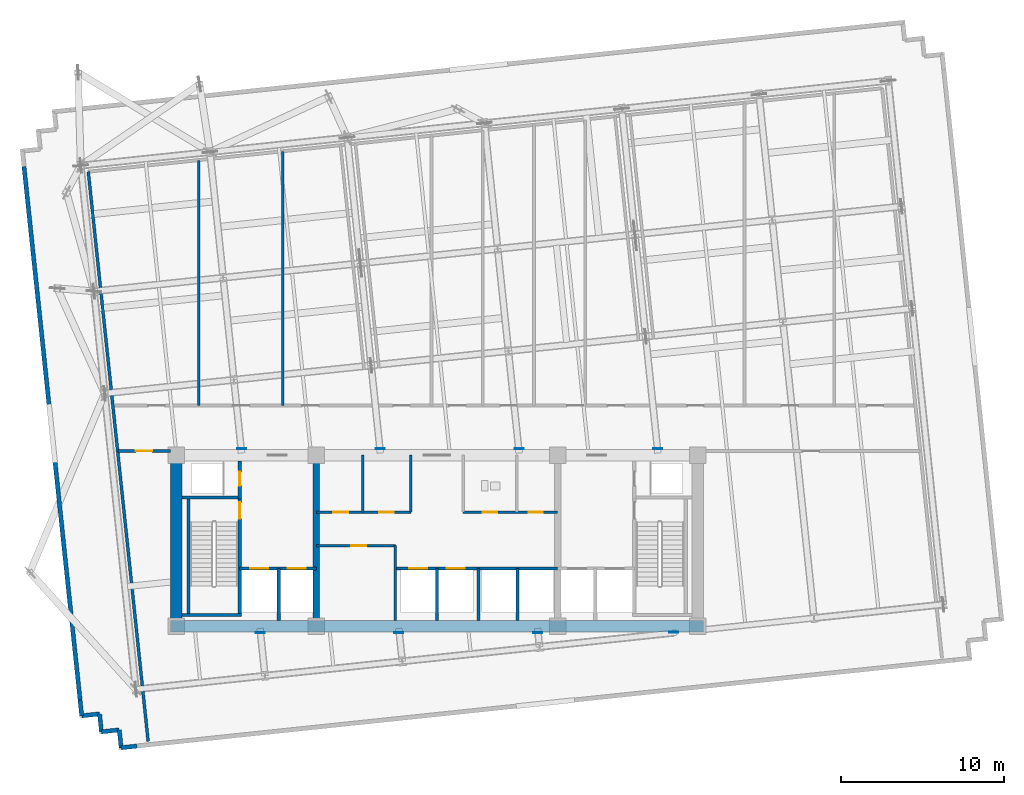
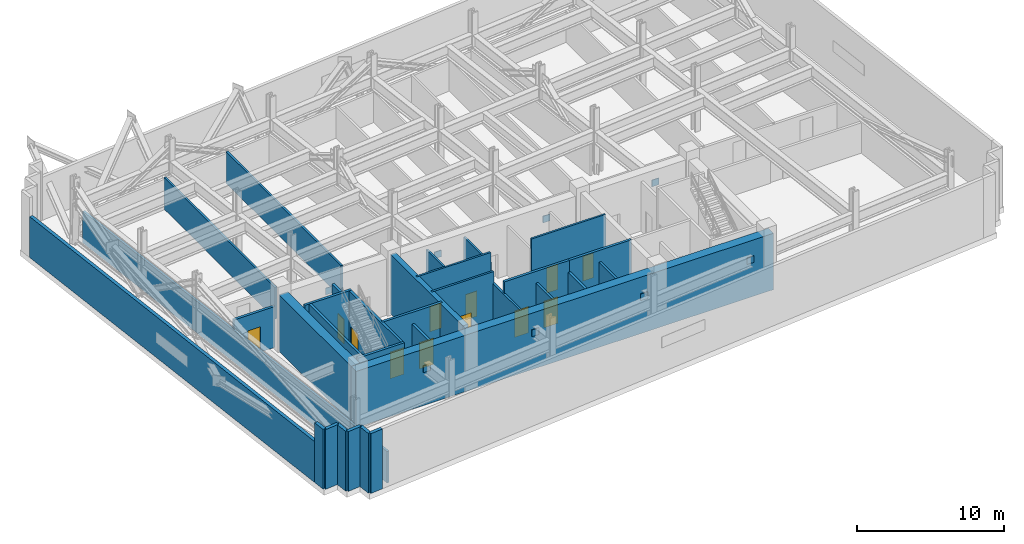
# One storey, part 6 of 11: 32 walls, 12 doors, 8 plates, 12 openings.
"""IFC4 building model written with IfcOpenShell, lengths in metres."""

from ifc_helpers import new_model, si_unit, direction, frame, frame_2d, origin, origin_2d, place, context, subcontext, project, spatial, rectangle, extrude, material, layer, layer_set, type_object, element, fill, save


model = new_model("IFC4")

# Units and contexts
model_context = context("Model", 3, precision=1e-05, world=origin(), true_north=direction((0.0, 1.0)))
body_context = subcontext(model_context, "Body", "Model", "MODEL_VIEW")
ifc_project = project(units=[si_unit("LENGTHUNIT", "METRE"), si_unit("AREAUNIT", "SQUARE_METRE"), si_unit("VOLUMEUNIT", "CUBIC_METRE"), si_unit("PLANEANGLEUNIT", "RADIAN"), si_unit("MASSUNIT", "GRAM", prefix="KILO")], contexts=[model_context])

# Site, building, storey
site_placement = place(None, origin())
site = spatial("IfcSite", under=ifc_project, at=site_placement, CompositionType="ELEMENT")
building_placement = place(site_placement, origin())
building = spatial("IfcBuilding", under=site, at=building_placement, Name="Solmavex Isthmus Hotel", CompositionType="ELEMENT")
storey_placement = place(building_placement, frame((0.0, 0.0, 130.5)))
storey = spatial("IfcBuildingStorey", under=building, at=storey_placement, Name="L35", CompositionType="ELEMENT", Elevation=130.5)

# Plates
ifc_material_1 = material(Name="Steel ASTM A572 Grade 50", Category="steel")
ifc_layer_1 = layer(ifc_material_1, 0.06005859375)
ifc_layer_set_1 = layer_set([ifc_layer_1], Name="Steel ASTM A572 Grade 50")
plate_type = type_object("IfcPlateType", Name="PLT-EMBED-60", PredefinedType="USERDEFINED", material=ifc_layer_set_1)
for number, where, z_axis, x_axis, name in (
    (1, (-10.852294921875, -13.3857421875, 2.77685546875), (0.0, 0.0, 1.0), (1.0, 0.0, 0.0), "Outrigger Strut Core Cast-In Embedment Stiffener Plate 053"),
    (2, (-11.99072265625, -2.1142578125, 2.77685546875), (0.0, 0.0, 1.0), (1.0, 0.0, 0.0), "Outrigger Strut Core Cast-In Embedment Stiffener Plate 054"),
    (3, (-2.339599609375, -13.3857421875, 2.77685546875), (0.0, 0.0, 1.0), (1.0, 0.0, 0.0), "Outrigger Strut Core Cast-In Embedment Stiffener Plate 055"),
    (4, (-3.47802734375, -2.1142578125, 2.77685546875), (0.0, 0.0, 1.0), (1.0, 0.0, 0.0), "Outrigger Strut Core Cast-In Embedment Stiffener Plate 056"),
    (5, (6.1728515625, -13.3857421875, 2.77685546875), (0.0, 0.0, 1.0), (1.0, 0.0, 0.0), "Outrigger Strut Core Cast-In Embedment Stiffener Plate 057"),
    (6, (5.034423828125, -2.1142578125, 2.77685546875), (0.0, 0.0, 1.0), (1.0, 0.0, 0.0), "Outrigger Strut Core Cast-In Embedment Stiffener Plate 058"),
    (7, (13.547119140625, -2.1142578125, 2.77685546875), (0.0, 0.0, 1.0), (1.0, 0.0, 0.0), "Outrigger Strut Core Cast-In Embedment Stiffener Plate 059"),
    (8, (14.517822265625, -13.353759765625, 2.82568359375), (0.0, 0.0, 1.0), (1.0, 0.0, 0.0), "Outrigger Strut Core Cast-In Embedment Stiffener Plate 060"),
):
    element("IfcPlate", number, at=place(storey_placement, frame(where, z_axis=z_axis, x_axis=x_axis)), inside=storey, type_object=plate_type, Name=name, ObjectType="STIFFENER_PLATE", PredefinedType="USERDEFINED", context=body_context, shape_type="SweptSolid", body=[
        extrude(rectangle(XDim=0.550048828125, YDim=0.06005859375, at=origin_2d()), origin(), (0.0, 0.0, 1.0), 0.550048828125),
    ])

# Walls
ifc_material_2 = material(Name="Precast Concrete C40/50", Category="concrete")
ifc_layer_2 = layer(ifc_material_2, 0.260009765625)
ifc_layer_set_2 = layer_set([ifc_layer_2], Name="Precast Concrete C40/50")
wall_type_1 = type_object("IfcWallType", Name="EW-CRN-260", PredefinedType="STANDARD", material=ifc_layer_set_2)
wall_1_placement = place(storey_placement, frame((-18.4111328125, -20.3466796875, 0.0), z_axis=(0.0, 0.0, 1.0), x_axis=(-0.994528875469, -0.104462030706, 0.0)))
element("IfcWall", 9, at=wall_1_placement, inside=storey, type_object=wall_type_1, Name="Plant Acoustic Louvre Enclosure Wall L35-01", PredefinedType="STANDARD", context=body_context, shape_type="SweptSolid", body=[
    extrude(rectangle(XDim=0.969970703125, YDim=0.260009765625, at=frame_2d((0.48486328125, 0.0))), origin(), (0.0, 0.0, 1.0), 4.949951171875),
])
for number, where, z_axis, x_axis, name in (
    (10, (-19.375732421875, -20.447998046875, 0.0), (0.0, 0.0, 1.0), (-0.104534592565, 0.994521251134, 0.0), "Plant Acoustic Louvre Enclosure Wall L35-02"),
    (11, (-19.49072265625, -19.35400390625, 0.0), (0.0, 0.0, 1.0), (-0.994521251134, -0.104534592565, 0.0), "Plant Acoustic Louvre Enclosure Wall L35-03"),
    (12, (-20.584716796875, -19.468994140625, 0.0), (0.0, 0.0, 1.0), (-0.104534592565, 0.994521251134, 0.0), "Plant Acoustic Louvre Enclosure Wall L35-04"),
    (13, (-20.69970703125, -18.375, 0.0), (0.0, 0.0, 1.0), (-0.994521251134, -0.104534592565, 0.0), "Plant Acoustic Louvre Enclosure Wall L35-05"),
):
    element("IfcWall", number, at=place(storey_placement, frame(where, z_axis=z_axis, x_axis=x_axis)), inside=storey, type_object=wall_type_1, Name=name, PredefinedType="STANDARD", context=body_context, shape_type="SweptSolid", body=[
        extrude(rectangle(XDim=1.10009765625, YDim=0.260009765625, at=frame_2d((0.550048828125, 0.0))), origin(), (0.0, 0.0, 1.0), 4.949951171875),
    ])
wall_2_placement = place(storey_placement, frame((-21.793701171875, -18.489990234375, 0.0), z_axis=(0.0, 0.0, 1.0), x_axis=(-0.104462030706, 0.994528875469, 0.0)))
element("IfcWall", 14, at=wall_2_placement, inside=storey, type_object=wall_type_1, Name="Plant Acoustic Louvre Enclosure Wall L35-06", PredefinedType="STANDARD", context=body_context, shape_type="SweptSolid", body=[
    extrude(rectangle(XDim=0.969970703125, YDim=0.260009765625, at=frame_2d((0.48486328125, 0.0))), origin(), (0.0, 0.0, 1.0), 4.949951171875),
])
wall_3_placement = place(storey_placement, frame((-21.89501953125, -17.525390625, 0.0), z_axis=(0.0, 0.0, 1.0), x_axis=(-0.104527952355, 0.994521949067, 0.0)))
element("IfcWall", 15, at=wall_3_placement, inside=storey, type_object=wall_type_1, Name="Plant Acoustic Louvre Enclosure Wall L35-07", PredefinedType="STANDARD", context=body_context, shape_type="SweptSolid", body=[
    extrude(rectangle(XDim=32.89990234375, YDim=0.260009765625, at=frame_2d((16.449951171875, 0.0))), origin(), (0.0, 0.0, 1.0), 3.385009765625),
])

# Wall, opening, door
ifc_material_3 = material(Name="Gypsum plasterboard lining", Category="gypsum")
ifc_layer_3 = layer(ifc_material_3, 0.159912109375)
ifc_layer_set_3 = layer_set([ifc_layer_3], Name="Gypsum plasterboard lining")
wall_type_2 = type_object("IfcWallType", Name="IW-COMP-160", PredefinedType="PARTITIONING", material=ifc_layer_set_3)
wall_4_placement = place(storey_placement, frame((-7.39990234375, -8.050048828125, 0.0), z_axis=(0.0, 0.0, 1.0), x_axis=(1.0, 0.0, 0.0)))
wall_4 = element("IfcWall", 16, at=wall_4_placement, inside=storey, type_object=wall_type_2, Name="Interior Partition Wall W-L35-REC-PLL-N", PredefinedType="PARTITIONING", context=body_context, shape_type="SweptSolid", body=[
    extrude(rectangle(XDim=4.849853515625, YDim=0.159912109375, at=frame_2d((2.4248046875, 0.0))), origin(), (0.0, 0.0, 1.0), 4.949951171875),
])
opening_1_placement = place(wall_4_placement, frame((2.125, 0.0, 0.0)))
opening_1 = element("IfcOpeningElement", 17, at=opening_1_placement, cuts=wall_4, Name="Opening ID-C095", PredefinedType="OPENING", context=body_context, shape_type="SweptSolid", body=[
    extrude(rectangle(XDim=0.949951171875, YDim=2.14990234375, at=frame_2d((0.47509765625, 1.074951171875))), frame((0.0, 0.08984375, 0.0), z_axis=(0.0, -1.0, 0.0), x_axis=(1.0, 0.0, 0.0)), (0.0, 0.0, 1.0), 0.179931640625),
])
ifc_material_4 = material(Name="Hardwood timber", Category="wood")
door_type_1 = type_object("IfcDoorType", Name="IDR-FD60-0950", OperationType="NOTDEFINED", PredefinedType="DOOR", material=ifc_material_4)
door_1_placement = place(opening_1_placement, origin())
door_1 = element("IfcDoor", 18, at=door_1_placement, inside=storey, type_object=door_type_1, Name="Linen Reserve Door L35", OperationType="SINGLE_SWING_LEFT", OverallHeight=2.14990234375, OverallWidth=0.949951171875, PredefinedType="DOOR", context=body_context, shape_type="SweptSolid", body=[
    extrude(rectangle(XDim=0.949951171875, YDim=2.14990234375, at=frame_2d((0.47509765625, 1.074951171875))), frame((0.0, 0.02490234375, 0.0), z_axis=(0.0, -1.0, 0.0), x_axis=(1.0, 0.0, 0.0)), (0.0, 0.0, 1.0), 0.050048828125),
])
fill(opening_1, door_1)

# Walls
wall_5_placement = place(storey_placement, frame((-2.550048828125, -12.64990234375, 0.0), z_axis=(0.0, 0.0, 1.0), x_axis=(0.0, 1.0, 0.0)))
element("IfcWall", 19, at=wall_5_placement, inside=storey, type_object=wall_type_2, Name="Interior Partition Wall W-L35-REC-PLL-E", PredefinedType="PARTITIONING", context=body_context, shape_type="SweptSolid", body=[
    extrude(rectangle(XDim=4.599853515625, YDim=0.159912109375, at=frame_2d((2.2998046875, 0.0))), origin(), (0.0, 0.0, 1.0), 3.985107421875),
])
wall_6_placement = place(storey_placement, frame((-14.6201171875, 0.550048828125, 0.0), z_axis=(0.0, 0.0, 1.0), x_axis=(0.0, 1.0, 0.0)))
element("IfcWall", 20, at=wall_6_placement, inside=storey, type_object=wall_type_2, Name="Interior Partition Wall W-L35-PX1", PredefinedType="PARTITIONING", context=body_context, shape_type="SweptSolid", body=[
    extrude(rectangle(XDim=15.0263671875, YDim=0.159912109375, at=frame_2d((7.51318359375, 0.0))), origin(), (0.0, 0.0, 1.0), 2.615966796875),
])
wall_7_placement = place(storey_placement, frame((-9.449951171875, 0.550048828125, 0.0), z_axis=(0.0, 0.0, 1.0), x_axis=(0.0, 1.0, 0.0)))
element("IfcWall", 21, at=wall_7_placement, inside=storey, type_object=wall_type_2, Name="Interior Partition Wall W-L35-PX2", PredefinedType="PARTITIONING", context=body_context, shape_type="SweptSolid", body=[
    extrude(rectangle(XDim=15.56982421875, YDim=0.159912109375, at=frame_2d((7.784912109375, 0.0))), origin(), (0.0, 0.0, 1.0), 2.615966796875),
])

# Wall, openings, doors
ifc_layer_4 = layer(ifc_material_3, 0.14990234375)
ifc_layer_set_4 = layer_set([ifc_layer_4], Name="Gypsum plasterboard lining")
wall_type_3 = type_object("IfcWallType", Name="IW-CORR-150", PredefinedType="PARTITIONING", material=ifc_layer_set_4)
wall_8_placement = place(storey_placement, frame((-7.39990234375, -6.0, 0.0), z_axis=(0.0, 0.0, 1.0), x_axis=(1.0, 0.0, 0.0)))
wall_8 = element("IfcWall", 22, at=wall_8_placement, inside=storey, type_object=wall_type_3, Name="Interior Partition Wall W-L35-BOH-WS", PredefinedType="PARTITIONING", context=body_context, shape_type="SweptSolid", body=[
    extrude(rectangle(XDim=5.7998046875, YDim=0.14990234375, at=frame_2d((2.89990234375, 0.0))), origin(), (0.0, 0.0, 1.0), 4.949951171875),
])
opening_2_placement = place(wall_8_placement, frame((1.050048828125, 0.0, 0.0)))
opening_2 = element("IfcOpeningElement", 23, at=opening_2_placement, cuts=wall_8, Name="Opening ID-C090", PredefinedType="OPENING", context=body_context, shape_type="SweptSolid", body=[
    extrude(rectangle(XDim=0.89990234375, YDim=2.10009765625, at=frame_2d((0.449951171875, 1.050048828125))), frame((0.0, 0.0849609375, 0.0), z_axis=(0.0, -1.0, 0.0), x_axis=(1.0, 0.0, 0.0)), (0.0, 0.0, 1.0), 0.169921875),
])
opening_3_placement = place(wall_8_placement, frame((3.85009765625, 0.0, 0.0)))
opening_3 = element("IfcOpeningElement", 24, at=opening_3_placement, cuts=wall_8, Name="Opening ID-C090", PredefinedType="OPENING", context=body_context, shape_type="SweptSolid", body=[
    extrude(rectangle(XDim=0.89990234375, YDim=2.10009765625, at=frame_2d((0.449951171875, 1.050048828125))), frame((0.0, 0.0849609375, 0.0), z_axis=(0.0, -1.0, 0.0), x_axis=(1.0, 0.0, 0.0)), (0.0, 0.0, 1.0), 0.169921875),
])
door_type_2 = type_object("IfcDoorType", Name="IDR-FD60-0900", OperationType="NOTDEFINED", PredefinedType="DOOR", material=ifc_material_4)
door_2_placement = place(opening_2_placement, frame((0.89990234375, 0.0, 0.0), z_axis=(0.0, 0.0, 1.0), x_axis=(-1.0, 0.0, 0.0)))
door_2 = element("IfcDoor", 25, at=door_2_placement, inside=storey, type_object=door_type_2, Name="Linen Room Door L35", OperationType="SINGLE_SWING_LEFT", OverallHeight=2.10009765625, OverallWidth=0.89990234375, PredefinedType="DOOR", context=body_context, shape_type="SweptSolid", body=[
    extrude(rectangle(XDim=0.89990234375, YDim=2.10009765625, at=frame_2d((0.449951171875, 1.050048828125))), frame((0.0, 0.02490234375, 0.0), z_axis=(0.0, -1.0, 0.0), x_axis=(1.0, 0.0, 0.0)), (0.0, 0.0, 1.0), 0.050048828125),
])
fill(opening_2, door_2)
door_3_placement = place(opening_3_placement, frame((0.89990234375, 0.0, 0.0), z_axis=(0.0, 0.0, 1.0), x_axis=(-1.0, 0.0, 0.0)))
door_3 = element("IfcDoor", 26, at=door_3_placement, inside=storey, type_object=door_type_2, Name="Ice Pantry Door L35", OperationType="SINGLE_SWING_RIGHT", OverallHeight=2.10009765625, OverallWidth=0.89990234375, PredefinedType="DOOR", context=body_context, shape_type="SweptSolid", body=[
    extrude(rectangle(XDim=0.89990234375, YDim=2.10009765625, at=frame_2d((0.449951171875, 1.050048828125))), frame((0.0, 0.02490234375, 0.0), z_axis=(0.0, -1.0, 0.0), x_axis=(1.0, 0.0, 0.0)), (0.0, 0.0, 1.0), 0.050048828125),
])
fill(opening_3, door_3)

# Wall
wall_9_placement = place(storey_placement, frame((-1.60009765625, -6.0, 0.0), z_axis=(0.0, 0.0, 1.0), x_axis=(0.0, 1.0, 0.0)))
element("IfcWall", 27, at=wall_9_placement, inside=storey, type_object=wall_type_3, Name="Interior Partition Wall W-L35-BOH-WE", PredefinedType="PARTITIONING", context=body_context, shape_type="SweptSolid", body=[
    extrude(rectangle(XDim=3.5, YDim=0.14990234375, at=frame_2d((1.75, 0.0))), origin(), (0.0, 0.0, 1.0), 4.094970703125),
])

# Wall, openings, doors
wall_10_placement = place(storey_placement, frame((1.60009765625, -6.0, 0.0), z_axis=(0.0, 0.0, 1.0), x_axis=(1.0, 0.0, 0.0)))
wall_10 = element("IfcWall", 28, at=wall_10_placement, inside=storey, type_object=wall_type_3, Name="Interior Partition Wall W-L35-BOH-ES", PredefinedType="PARTITIONING", context=body_context, shape_type="SweptSolid", body=[
    extrude(rectangle(XDim=5.7998046875, YDim=0.14990234375, at=frame_2d((2.89990234375, 0.0))), origin(), (0.0, 0.0, 1.0), 4.949951171875),
])
opening_4_placement = place(wall_10_placement, frame((1.199951171875, 0.0, 0.0)))
opening_4 = element("IfcOpeningElement", 29, at=opening_4_placement, cuts=wall_10, Name="Opening ID-C090", PredefinedType="OPENING", context=body_context, shape_type="SweptSolid", body=[
    extrude(rectangle(XDim=0.89990234375, YDim=2.10009765625, at=frame_2d((0.449951171875, 1.050048828125))), frame((0.0, 0.0849609375, 0.0), z_axis=(0.0, -1.0, 0.0), x_axis=(1.0, 0.0, 0.0)), (0.0, 0.0, 1.0), 0.169921875),
])
opening_5_placement = place(wall_10_placement, frame((4.02490234375, 0.0, 0.0)))
opening_5 = element("IfcOpeningElement", 30, at=opening_5_placement, cuts=wall_10, Name="Opening ID-R085", PredefinedType="OPENING", context=body_context, shape_type="SweptSolid", body=[
    extrude(rectangle(XDim=0.85009765625, YDim=2.050048828125, at=frame_2d((0.425048828125, 1.02490234375))), frame((0.0, 0.0849609375, 0.0), z_axis=(0.0, -1.0, 0.0), x_axis=(1.0, 0.0, 0.0)), (0.0, 0.0, 1.0), 0.169921875),
])
ifc_material_5 = material(Name="Steel ASTM A500 Grade C", Category="steel")
door_type_3 = type_object("IfcDoorType", Name="IDR-FD60-0850", OperationType="NOTDEFINED", PredefinedType="DOOR", material=ifc_material_5)
door_4_placement = place(opening_5_placement, frame((0.85009765625, 0.0, 0.0), z_axis=(0.0, 0.0, 1.0), x_axis=(-1.0, 0.0, 0.0)))
door_4 = element("IfcDoor", 31, at=door_4_placement, inside=storey, type_object=door_type_3, Name="IT Room Door L35", OperationType="SINGLE_SWING_RIGHT", OverallHeight=2.050048828125, OverallWidth=0.85009765625, PredefinedType="DOOR", context=body_context, shape_type="SweptSolid", body=[
    extrude(rectangle(XDim=0.85009765625, YDim=2.050048828125, at=frame_2d((0.425048828125, 1.02490234375))), frame((0.0, 0.02490234375, 0.0), z_axis=(0.0, -1.0, 0.0), x_axis=(1.0, 0.0, 0.0)), (0.0, 0.0, 1.0), 0.050048828125),
])
fill(opening_5, door_4)
door_5_placement = place(opening_4_placement, frame((0.89990234375, 0.0, 0.0), z_axis=(0.0, 0.0, 1.0), x_axis=(-1.0, 0.0, 0.0)))
door_5 = element("IfcDoor", 32, at=door_5_placement, inside=storey, type_object=door_type_2, Name="Staff Restroom Door L35", OperationType="SINGLE_SWING_LEFT", OverallHeight=2.10009765625, OverallWidth=0.89990234375, PredefinedType="DOOR", context=body_context, shape_type="SweptSolid", body=[
    extrude(rectangle(XDim=0.89990234375, YDim=2.10009765625, at=frame_2d((0.449951171875, 1.050048828125))), frame((0.0, 0.02490234375, 0.0), z_axis=(0.0, -1.0, 0.0), x_axis=(1.0, 0.0, 0.0)), (0.0, 0.0, 1.0), 0.050048828125),
])
fill(opening_4, door_5)

# Walls
ifc_layer_5 = layer(ifc_material_3, 0.1201171875)
ifc_layer_set_5 = layer_set([ifc_layer_5], Name="Gypsum plasterboard lining")
wall_type_4 = type_object("IfcWallType", Name="IW-PART-120", PredefinedType="PARTITIONING", material=ifc_layer_set_5)
wall_11_placement = place(storey_placement, frame((-4.550048828125, -6.0, 0.0), z_axis=(0.0, 0.0, 1.0), x_axis=(0.0, 1.0, 0.0)))
element("IfcWall", 33, at=wall_11_placement, inside=storey, type_object=wall_type_4, Name="Interior Partition Wall W-L35-BOH-WM2", PredefinedType="PARTITIONING", context=body_context, shape_type="SweptSolid", body=[
    extrude(rectangle(XDim=3.5, YDim=0.14990234375, at=frame_2d((1.75, 0.0))), origin(), (0.0, 0.0, 1.0), 4.094970703125),
])
ifc_material_6 = material(Name="Concrete C40/50", Category="concrete")
ifc_layer_6 = layer(ifc_material_6, 0.179931640625)
ifc_layer_set_6 = layer_set([ifc_layer_6], Name="Concrete C40/50")
wall_type_5 = type_object("IfcWallType", Name="IW-SHAFT-180", PredefinedType="PARTITIONING", material=ifc_layer_set_6)
for number, where, z_axis, x_axis, name in (
    (34, (0.0, -12.64990234375, 0.0), (0.0, 0.0, 1.0), (0.0, 1.0, 0.0), "Interior Partition Wall W-L35-SH-PLM-M"),
    (35, (4.949951171875, -12.64990234375, 0.0), (0.0, 0.0, 1.0), (0.0, 1.0, 0.0), "Interior Partition Wall W-L35-SH-PLH-M"),
):
    element("IfcWall", number, at=place(storey_placement, frame(where, z_axis=z_axis, x_axis=x_axis)), inside=storey, type_object=wall_type_5, Name=name, PredefinedType="PARTITIONING", context=body_context, shape_type="SweptSolid", body=[
        extrude(rectangle(XDim=3.199951171875, YDim=0.179931640625, at=frame_2d((1.60009765625, 0.0))), origin(), (0.0, 0.0, 1.0), 3.985107421875),
    ])
wall_12_placement = place(storey_placement, frame((-17.718017578125, -20.052490234375, 0.0), z_axis=(0.0, 0.0, 1.0), x_axis=(-0.104529587233, 0.994521777234, 0.0)))
element("IfcWall", 36, at=wall_12_placement, inside=storey, type_object=wall_type_5, Name="Interior Partition Wall W-L35-BTW", PredefinedType="PARTITIONING", context=body_context, shape_type="SweptSolid", body=[
    extrude(rectangle(XDim=35.1298828125, YDim=0.179931640625, at=frame_2d((17.56494140625, 0.0))), origin(), (0.0, 0.0, 1.0), 2.615966796875),
])

# Wall, opening, door
ifc_layer_7 = layer(ifc_material_6, 0.199951171875)
ifc_layer_set_7 = layer_set([ifc_layer_7], Name="Concrete C40/50")
wall_type_6 = type_object("IfcWallType", Name="IW-SHAFT-200", PredefinedType="PARTITIONING", material=ifc_layer_set_7)
wall_13_placement = place(storey_placement, frame((-12.10009765625, -5.199951171875, 0.0), z_axis=(0.0, 0.0, 1.0), x_axis=(0.0, 1.0, 0.0)))
wall_13 = element("IfcWall", 37, at=wall_13_placement, inside=storey, type_object=wall_type_6, Name="Interior Partition Wall W-L35-RSW-E", PredefinedType="PARTITIONING", context=body_context, shape_type="SweptSolid", body=[
    extrude(rectangle(XDim=2.349853515625, YDim=0.199951171875, at=frame_2d((1.1748046875, 0.0))), origin(), (0.0, 0.0, 1.0), 4.094970703125),
])
opening_6_placement = place(wall_13_placement, frame((0.824951171875, 0.0, 0.0)))
opening_6 = element("IfcOpeningElement", 38, at=opening_6_placement, cuts=wall_13, Name="Opening ID-R085", PredefinedType="OPENING", context=body_context, shape_type="SweptSolid", body=[
    extrude(rectangle(XDim=0.85009765625, YDim=2.050048828125, at=frame_2d((0.425048828125, 1.02490234375))), frame((0.0, 0.10986328125, 0.0), z_axis=(0.0, -1.0, 0.0), x_axis=(1.0, 0.0, 0.0)), (0.0, 0.0, 1.0), 0.219970703125),
])
door_6_placement = place(opening_6_placement, origin())
door_6 = element("IfcDoor", 39, at=door_6_placement, inside=storey, type_object=door_type_3, Name="Electrical Riser Door L35", OperationType="SINGLE_SWING_RIGHT", OverallHeight=2.050048828125, OverallWidth=0.85009765625, PredefinedType="DOOR", context=body_context, shape_type="SweptSolid", body=[
    extrude(rectangle(XDim=0.85009765625, YDim=2.050048828125, at=frame_2d((0.425048828125, 1.02490234375))), frame((0.0, 0.02490234375, 0.0), z_axis=(0.0, -1.0, 0.0), x_axis=(1.0, 0.0, 0.0)), (0.0, 0.0, 1.0), 0.050048828125),
])
fill(opening_6, door_6)

# Wall, openings, doors
wall_14_placement = place(storey_placement, frame((-12.10009765625, -9.449951171875, 0.0), z_axis=(0.0, 0.0, 1.0), x_axis=(1.0, 0.0, 0.0)))
wall_14 = element("IfcWall", 40, at=wall_14_placement, inside=storey, type_object=wall_type_6, Name="Interior Partition Wall W-L35-FFLW-S", PredefinedType="PARTITIONING", context=body_context, shape_type="SweptSolid", body=[
    extrude(rectangle(XDim=4.7001953125, YDim=0.199951171875, at=frame_2d((2.35009765625, 0.0))), origin(), (0.0, 0.0, 1.0), 4.949951171875),
])
opening_7_placement = place(wall_14_placement, frame((0.64990234375, 0.0, 0.0)))
opening_7 = element("IfcOpeningElement", 41, at=opening_7_placement, cuts=wall_14, Name="Opening LD-FF", PredefinedType="OPENING", context=body_context, shape_type="SweptSolid", body=[
    extrude(rectangle(XDim=1.10009765625, YDim=2.199951171875, at=frame_2d((0.550048828125, 1.10009765625))), frame((0.0, 0.10986328125, 0.0), z_axis=(0.0, -1.0, 0.0), x_axis=(1.0, 0.0, 0.0)), (0.0, 0.0, 1.0), 0.219970703125),
])
opening_8_placement = place(wall_14_placement, frame((2.949951171875, 0.0, 0.0)))
opening_8 = element("IfcOpeningElement", 42, at=opening_8_placement, cuts=wall_14, Name="Opening LD-SV", PredefinedType="OPENING", context=body_context, shape_type="SweptSolid", body=[
    extrude(rectangle(XDim=1.10009765625, YDim=2.199951171875, at=frame_2d((0.550048828125, 1.10009765625))), frame((0.0, 0.10986328125, 0.0), z_axis=(0.0, -1.0, 0.0), x_axis=(1.0, 0.0, 0.0)), (0.0, 0.0, 1.0), 0.219970703125),
])
ifc_material_7 = material(Name="Stainless steel 316", Category="steel")
door_type_4 = type_object("IfcDoorType", Name="LDR-FF-1100", OperationType="NOTDEFINED", PredefinedType="DOOR", material=ifc_material_7)
door_7_placement = place(opening_7_placement, origin())
door_7 = element("IfcDoor", 43, at=door_7_placement, inside=storey, type_object=door_type_4, Name="Lift Landing Door FFL-1 L35", OperationType="SLIDING_TO_LEFT", OverallHeight=2.199951171875, OverallWidth=1.10009765625, PredefinedType="DOOR", context=body_context, shape_type="SweptSolid", body=[
    extrude(rectangle(XDim=1.10009765625, YDim=2.199951171875, at=frame_2d((0.550048828125, 1.10009765625))), frame((0.0, 0.02490234375, 0.0), z_axis=(0.0, -1.0, 0.0), x_axis=(1.0, 0.0, 0.0)), (0.0, 0.0, 1.0), 0.050048828125),
])
fill(opening_7, door_7)
door_type_5 = type_object("IfcDoorType", Name="LDR-SV-1100", OperationType="NOTDEFINED", PredefinedType="DOOR", material=ifc_material_7)
door_8_placement = place(opening_8_placement, origin())
door_8 = element("IfcDoor", 44, at=door_8_placement, inside=storey, type_object=door_type_5, Name="Lift Landing Door SVL-1 L35", OperationType="SLIDING_TO_RIGHT", OverallHeight=2.199951171875, OverallWidth=1.10009765625, PredefinedType="DOOR", context=body_context, shape_type="SweptSolid", body=[
    extrude(rectangle(XDim=1.10009765625, YDim=2.199951171875, at=frame_2d((0.550048828125, 1.10009765625))), frame((0.0, 0.02490234375, 0.0), z_axis=(0.0, -1.0, 0.0), x_axis=(1.0, 0.0, 0.0)), (0.0, 0.0, 1.0), 0.050048828125),
])
fill(opening_8, door_8)

# Wall
wall_15_placement = place(storey_placement, frame((-9.699951171875, -12.64990234375, 0.0), z_axis=(0.0, 0.0, 1.0), x_axis=(0.0, 1.0, 0.0)))
element("IfcWall", 45, at=wall_15_placement, inside=storey, type_object=wall_type_6, Name="Interior Partition Wall W-L35-FFLW-M", PredefinedType="PARTITIONING", context=body_context, shape_type="SweptSolid", body=[
    extrude(rectangle(XDim=3.199951171875, YDim=0.199951171875, at=frame_2d((1.60009765625, 0.0))), origin(), (0.0, 0.0, 1.0), 3.985107421875),
])

# Wall, openings, doors
wall_16_placement = place(storey_placement, frame((-2.550048828125, -9.449951171875, 0.0), z_axis=(0.0, 0.0, 1.0), x_axis=(1.0, 0.0, 0.0)))
wall_16 = element("IfcWall", 46, at=wall_16_placement, inside=storey, type_object=wall_type_6, Name="Interior Partition Wall W-L35-SH-PLM", PredefinedType="PARTITIONING", context=body_context, shape_type="SweptSolid", body=[
    extrude(rectangle(XDim=5.10009765625, YDim=0.199951171875, at=frame_2d((2.550048828125, 0.0))), origin(), (0.0, 0.0, 1.0), 4.949951171875),
])
opening_9_placement = place(wall_16_placement, frame((0.85009765625, 0.0, 0.0)))
opening_9 = element("IfcOpeningElement", 47, at=opening_9_placement, cuts=wall_16, Name="Opening LD-PL", PredefinedType="OPENING", context=body_context, shape_type="SweptSolid", body=[
    extrude(rectangle(XDim=1.10009765625, YDim=2.199951171875, at=frame_2d((0.550048828125, 1.10009765625))), frame((0.0, 0.10986328125, 0.0), z_axis=(0.0, -1.0, 0.0), x_axis=(1.0, 0.0, 0.0)), (0.0, 0.0, 1.0), 0.219970703125),
])
opening_10_placement = place(wall_16_placement, frame((3.14990234375, 0.0, 0.0)))
opening_10 = element("IfcOpeningElement", 48, at=opening_10_placement, cuts=wall_16, Name="Opening LD-PL", PredefinedType="OPENING", context=body_context, shape_type="SweptSolid", body=[
    extrude(rectangle(XDim=1.10009765625, YDim=2.199951171875, at=frame_2d((0.550048828125, 1.10009765625))), frame((0.0, 0.10986328125, 0.0), z_axis=(0.0, -1.0, 0.0), x_axis=(1.0, 0.0, 0.0)), (0.0, 0.0, 1.0), 0.219970703125),
])
door_type_6 = type_object("IfcDoorType", Name="LDR-PL-1100", OperationType="NOTDEFINED", PredefinedType="DOOR", material=ifc_material_7)
door_9_placement = place(opening_9_placement, origin())
door_9 = element("IfcDoor", 49, at=door_9_placement, inside=storey, type_object=door_type_6, Name="Lift Landing Door PLM1 L35", OperationType="SLIDING_TO_RIGHT", OverallHeight=2.199951171875, OverallWidth=1.10009765625, PredefinedType="DOOR", context=body_context, shape_type="SweptSolid", body=[
    extrude(rectangle(XDim=1.10009765625, YDim=2.199951171875, at=frame_2d((0.550048828125, 1.10009765625))), frame((0.0, 0.02490234375, 0.0), z_axis=(0.0, -1.0, 0.0), x_axis=(1.0, 0.0, 0.0)), (0.0, 0.0, 1.0), 0.050048828125),
])
fill(opening_9, door_9)
door_10_placement = place(opening_10_placement, origin())
door_10 = element("IfcDoor", 50, at=door_10_placement, inside=storey, type_object=door_type_6, Name="Lift Landing Door PLM2 L35", OperationType="SLIDING_TO_RIGHT", OverallHeight=2.199951171875, OverallWidth=1.10009765625, PredefinedType="DOOR", context=body_context, shape_type="SweptSolid", body=[
    extrude(rectangle(XDim=1.10009765625, YDim=2.199951171875, at=frame_2d((0.550048828125, 1.10009765625))), frame((0.0, 0.02490234375, 0.0), z_axis=(0.0, -1.0, 0.0), x_axis=(1.0, 0.0, 0.0)), (0.0, 0.0, 1.0), 0.050048828125),
])
fill(opening_10, door_10)

# Walls
wall_17_placement = place(storey_placement, frame((2.550048828125, -12.64990234375, 0.0), z_axis=(0.0, 0.0, 1.0), x_axis=(0.0, 1.0, 0.0)))
element("IfcWall", 51, at=wall_17_placement, inside=storey, type_object=wall_type_6, Name="Interior Partition Wall W-L35-SH-PLM-E", PredefinedType="PARTITIONING", context=body_context, shape_type="SweptSolid", body=[
    extrude(rectangle(XDim=3.199951171875, YDim=0.199951171875, at=frame_2d((1.60009765625, 0.0))), origin(), (0.0, 0.0, 1.0), 3.985107421875),
])
wall_18_placement = place(storey_placement, frame((2.550048828125, -9.449951171875, 0.0), z_axis=(0.0, 0.0, 1.0), x_axis=(1.0, 0.0, 0.0)))
element("IfcWall", 52, at=wall_18_placement, inside=storey, type_object=wall_type_6, Name="Interior Partition Wall W-L35-SH-PLH", PredefinedType="PARTITIONING", context=body_context, shape_type="SweptSolid", body=[
    extrude(rectangle(XDim=4.849853515625, YDim=0.199951171875, at=frame_2d((2.4248046875, 0.0))), origin(), (0.0, 0.0, 1.0), 4.949951171875),
])

# Wall, opening, door
wall_19_placement = place(storey_placement, frame((-19.569091796875, -2.25, 0.0), z_axis=(0.0, 0.0, 1.0), x_axis=(1.0, 0.0, 0.0)))
wall_19 = element("IfcWall", 53, at=wall_19_placement, inside=storey, type_object=wall_type_6, Name="Interior Partition Wall W-L35-PSW", PredefinedType="PARTITIONING", context=body_context, shape_type="SweptSolid", body=[
    extrude(rectangle(XDim=3.218994140625, YDim=0.199951171875, at=frame_2d((1.609375, 0.0))), origin(), (0.0, 0.0, 1.0), 3.385009765625),
])
opening_11_placement = place(wall_19_placement, frame((1.093994140625, 0.0, 0.0)))
opening_11 = element("IfcOpeningElement", 54, at=opening_11_placement, cuts=wall_19, Name="Opening ID-F100", PredefinedType="OPENING", context=body_context, shape_type="SweptSolid", body=[
    extrude(rectangle(XDim=1.0, YDim=2.10009765625, at=frame_2d((0.5, 1.050048828125))), frame((0.0, 0.10986328125, 0.0), z_axis=(0.0, -1.0, 0.0), x_axis=(1.0, 0.0, 0.0)), (0.0, 0.0, 1.0), 0.219970703125),
])
door_type_7 = type_object("IfcDoorType", Name="IDR-FD90-1000", OperationType="NOTDEFINED", PredefinedType="DOOR", material=ifc_material_5)
door_11_placement = place(opening_11_placement, frame((1.0, 0.0, 0.0), z_axis=(0.0, 0.0, 1.0), x_axis=(-1.0, 0.0, 0.0)))
door_11 = element("IfcDoor", 55, at=door_11_placement, inside=storey, type_object=door_type_7, Name="Domestic Water Booster Plant Room Door L35", OperationType="SINGLE_SWING_LEFT", OverallHeight=2.10009765625, OverallWidth=1.0, PredefinedType="DOOR", context=body_context, shape_type="SweptSolid", body=[
    extrude(rectangle(XDim=1.0, YDim=2.10009765625, at=frame_2d((0.5, 1.050048828125))), frame((0.0, 0.02490234375, 0.0), z_axis=(0.0, -1.0, 0.0), x_axis=(1.0, 0.0, 0.0)), (0.0, 0.0, 1.0), 0.050048828125),
])
fill(opening_11, door_11)

# Walls
ifc_material_8 = material(Name="Concrete C60/75", Category="concrete")
ifc_layer_8 = layer(ifc_material_8, 0.39990234375)
ifc_layer_set_8 = layer_set([ifc_layer_8], Name="Concrete C60/75")
wall_type_7 = type_object("IfcWallType", Name="WALL-CW-400M", PredefinedType="SHEAR", material=ifc_layer_set_8)
wall_20_placement = place(storey_placement, frame((-7.39990234375, -12.64990234375, 0.0), z_axis=(0.0, 0.0, 1.0), x_axis=(0.0, 1.0, 0.0)))
element("IfcWall", 56, at=wall_20_placement, inside=storey, type_object=wall_type_7, Name="Core Cross Shear Wall C1 L35", PredefinedType="SHEAR", context=body_context, shape_type="SweptSolid", body=[
    extrude(rectangle(XDim=9.7998046875, YDim=0.39990234375, at=frame_2d((4.89990234375, 0.0))), origin(), (0.0, 0.0, 1.0), 4.949951171875),
])
ifc_layer_9 = layer(ifc_material_8, 0.699951171875)
ifc_layer_set_9 = layer_set([ifc_layer_9], Name="Concrete C60/75")
wall_type_8 = type_object("IfcWallType", Name="WALL-CW-700", PredefinedType="SHEAR", material=ifc_layer_set_9)
wall_21_placement = place(storey_placement, frame((-16.35009765625, -13.0, 0.0), z_axis=(0.0, 0.0, 1.0), x_axis=(1.0, 0.0, 0.0)))
element("IfcWall", 57, at=wall_21_placement, inside=storey, type_object=wall_type_8, Name="Core Shear Wall South L35", PredefinedType="SHEAR", context=body_context, shape_type="SweptSolid", body=[
    extrude(rectangle(XDim=32.7001953125, YDim=0.699951171875, at=frame_2d((16.35009765625, 0.0))), origin(), (0.0, 0.0, 1.0), 4.669921875),
])
wall_22_placement = place(storey_placement, frame((-16.0, -12.64990234375, 0.0), z_axis=(0.0, 0.0, 1.0), x_axis=(0.0, 1.0, 0.0)))
element("IfcWall", 58, at=wall_22_placement, inside=storey, type_object=wall_type_8, Name="Core Shear Wall West L35", PredefinedType="SHEAR", context=body_context, shape_type="SweptSolid", body=[
    extrude(rectangle(XDim=9.7998046875, YDim=0.699951171875, at=frame_2d((4.89990234375, 0.0))), origin(), (0.0, 0.0, 1.0), 4.669921875),
])
ifc_layer_10 = layer(ifc_material_6, 0.199951171875)
ifc_layer_set_10 = layer_set([ifc_layer_10], Name="Concrete C40/50")
wall_type_9 = type_object("IfcWallType", Name="WALL-SW-200", PredefinedType="SOLIDWALL", material=ifc_layer_set_10)
for number, where, z_axis, x_axis, name in (
    (59, (-15.64990234375, -12.300048828125, 0.0), (0.0, 0.0, 1.0), (1.0, 0.0, 0.0), "Stairwell Structural Wall SW-L35-ST1-S"),
    (60, (-15.64990234375, -5.10009765625, 0.0), (0.0, 0.0, 1.0), (1.0, 0.0, 0.0), "Stairwell Structural Wall SW-L35-ST1-N"),
):
    element("IfcWall", number, at=place(storey_placement, frame(where, z_axis=z_axis, x_axis=x_axis)), inside=storey, type_object=wall_type_9, Name=name, PredefinedType="SOLIDWALL", context=body_context, shape_type="SweptSolid", body=[
        extrude(rectangle(XDim=3.64990234375, YDim=0.199951171875, at=frame_2d((1.824951171875, 0.0))), origin(), (0.0, 0.0, 1.0), 4.949951171875),
    ])
wall_23_placement = place(storey_placement, frame((-15.25, -12.199951171875, 0.0), z_axis=(0.0, 0.0, 1.0), x_axis=(0.0, 1.0, 0.0)))
element("IfcWall", 61, at=wall_23_placement, inside=storey, type_object=wall_type_9, Name="Stairwell Structural Wall SW-L35-ST1-W", PredefinedType="SOLIDWALL", context=body_context, shape_type="SweptSolid", body=[
    extrude(rectangle(XDim=7.0, YDim=0.199951171875, at=frame_2d((3.5, 0.0))), origin(), (0.0, 0.0, 1.0), 4.949951171875),
])

# Wall, opening, door
wall_24_placement = place(storey_placement, frame((-12.10009765625, -12.199951171875, 0.0), z_axis=(0.0, 0.0, 1.0), x_axis=(0.0, 1.0, 0.0)))
wall_24 = element("IfcWall", 62, at=wall_24_placement, inside=storey, type_object=wall_type_9, Name="Stairwell Structural Wall SW-L35-ST1-E", PredefinedType="SOLIDWALL", context=body_context, shape_type="SweptSolid", body=[
    extrude(rectangle(XDim=7.0, YDim=0.199951171875, at=frame_2d((3.5, 0.0))), origin(), (0.0, 0.0, 1.0), 4.949951171875),
])
opening_12_placement = place(wall_24_placement, frame((5.800048828125, 0.0, 0.0)))
opening_12 = element("IfcOpeningElement", 63, at=opening_12_placement, cuts=wall_24, Name="Opening ID-F100", PredefinedType="OPENING", context=body_context, shape_type="SweptSolid", body=[
    extrude(rectangle(XDim=1.0, YDim=2.10009765625, at=frame_2d((0.5, 1.050048828125))), frame((0.0, 0.10986328125, 0.0), z_axis=(0.0, -1.0, 0.0), x_axis=(1.0, 0.0, 0.0)), (0.0, 0.0, 1.0), 0.219970703125),
])
door_12_placement = place(opening_12_placement, frame((1.0, 0.0, 0.0), z_axis=(0.0, 0.0, 1.0), x_axis=(-1.0, 0.0, 0.0)))
door_12 = element("IfcDoor", 64, at=door_12_placement, inside=storey, type_object=door_type_7, Name="Stair ST-1 Fire Door L35", OperationType="SINGLE_SWING_LEFT", OverallHeight=2.10009765625, OverallWidth=1.0, PredefinedType="DOOR", context=body_context, shape_type="SweptSolid", body=[
    extrude(rectangle(XDim=1.0, YDim=2.10009765625, at=frame_2d((0.5, 1.050048828125))), frame((0.0, 0.02490234375, 0.0), z_axis=(0.0, -1.0, 0.0), x_axis=(1.0, 0.0, 0.0)), (0.0, 0.0, 1.0), 0.050048828125),
])
fill(opening_12, door_12)

save(model, "model.ifc")
